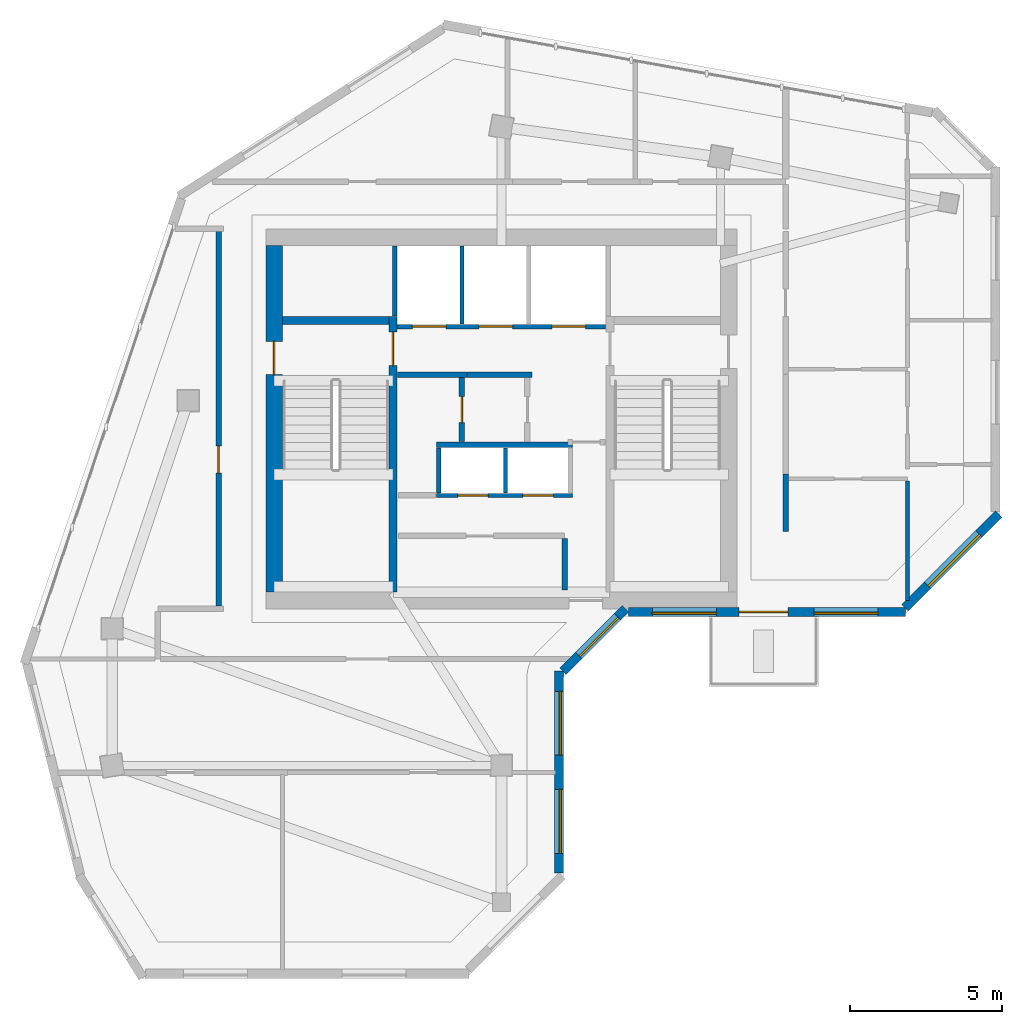
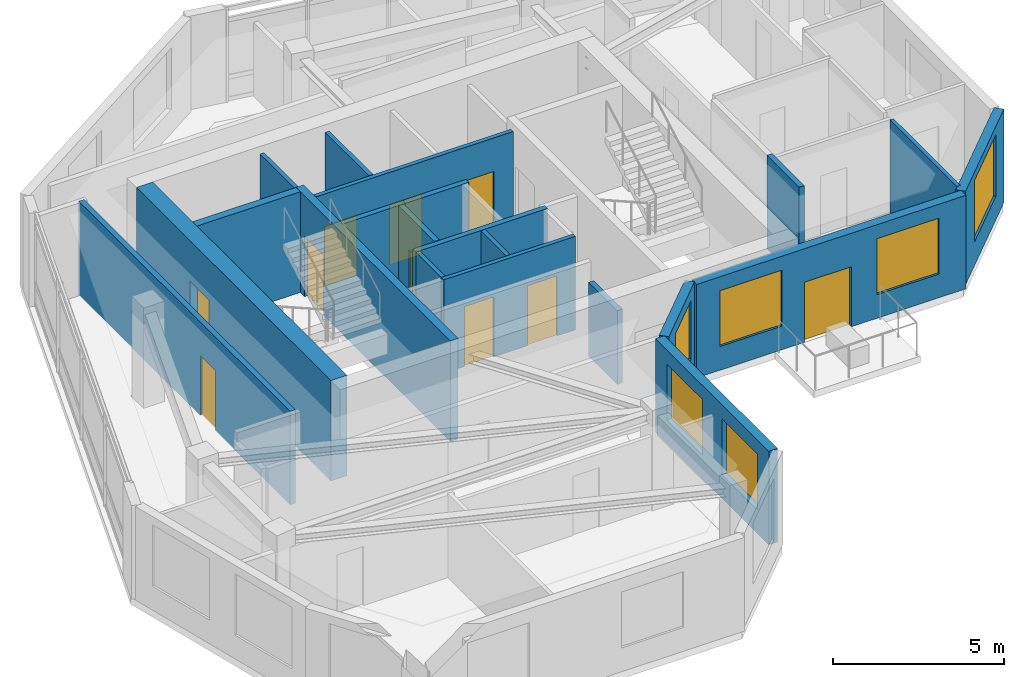
# One storey, part 3 of 7: 21 walls, 10 doors, 6 windows, 16 openings.
"""IFC4 building model written with IfcOpenShell, lengths in metres."""

import ifcopenshell
import ifcopenshell.guid

model = None  # the IFC model being written
_history = None  # IfcOwnerHistory: only IFC2X3 demands one
_inside = {}  # id of a spatial element -> (the spatial element, [elements in it])
_under = {}  # id of a project, library or spatial element -> (it, [spatial elements below it])
_declared = {}  # id of a project -> (the project, [libraries it declares])
_typed = {}  # id of a type object -> (the type object, [elements of that type])
_made_of = {}  # id of a material, layer set ... -> (it, [elements and type objects made of it])


def new_model(schema):
    """Start an empty IFC model of exactly this schema.

    Asked for "IFC4X3", IfcOpenShell would pick the latest addendum, in which some entities
    have other attributes; the version numbers below select the first issue.
    IFC2X3 requires an IfcOwnerHistory on every rooted entity: one is made here for all.
    """
    global model, _history
    if schema == "IFC4X3":
        model = ifcopenshell.file(schema_version=(4, 3, 0, 0))
    else:
        model = ifcopenshell.file(schema=schema)
    _inside.clear()
    _under.clear()
    _declared.clear()
    _typed.clear()
    _made_of.clear()
    _history = None
    if model.schema == "IFC2X3":
        org = make("IfcOrganization", Name="unknown")
        user = make(
            "IfcPersonAndOrganization",
            ThePerson=make("IfcPerson", FamilyName="unknown"),
            TheOrganization=org,
        )
        app = make(
            "IfcApplication",
            ApplicationDeveloper=org,
            Version="unknown",
            ApplicationFullName="unknown",
            ApplicationIdentifier="unknown",
        )
        _history = make(
            "IfcOwnerHistory",
            OwningUser=user,
            OwningApplication=app,
            ChangeAction="ADDED",
            CreationDate=0,
        )
    return model


def make(cls, **values):
    """One entity of the class cls with the attributes given. An attribute that is None is left unset."""
    return model.create_entity(
        cls, **{name: value for name, value in values.items() if value is not None}
    )


def rooted(cls, **values):
    """An entity with a GlobalId (a new one), such as an element, a storey or a relation."""
    return make(cls, GlobalId=ifcopenshell.guid.new(), OwnerHistory=_history, **values)


def si_unit(unit_type, name, prefix=None):
    """IfcSIUnit, for example si_unit("LENGTHUNIT", "METRE", prefix="MILLI")."""
    return make("IfcSIUnit", UnitType=unit_type, Prefix=prefix, Name=name)


def assignment(units):
    """IfcUnitAssignment: the units of a project."""
    return None if units is None else make("IfcUnitAssignment", Units=units)


def point(xyz):
    """IfcCartesianPoint."""
    return None if xyz is None else make("IfcCartesianPoint", Coordinates=xyz)


def direction(xyz):
    """IfcDirection."""
    return None if xyz is None else make("IfcDirection", DirectionRatios=xyz)


def frame(location, z_axis=None, x_axis=None):
    """IfcAxis2Placement3D, a coordinate frame: its origin and axes. An axis left out is left unset."""
    return make(
        "IfcAxis2Placement3D",
        Location=point(location),
        Axis=direction(z_axis),
        RefDirection=direction(x_axis),
    )


def frame_2d(location, x_axis=None):
    """IfcAxis2Placement2D, a coordinate frame in the plane: its origin and x axis."""
    return make(
        "IfcAxis2Placement2D", Location=point(location), RefDirection=direction(x_axis)
    )


def origin():
    """The frame at (0, 0, 0) with its axes left unset."""
    return frame((0.0, 0.0, 0.0))


def place(relative_to, where):
    """IfcLocalPlacement: puts the frame where relative to a parent placement (None: the world)."""
    return make(
        "IfcLocalPlacement", PlacementRelTo=relative_to, RelativePlacement=where
    )


def context(
    kind, dimensions, precision=None, world=None, true_north=None, identifier=None
):
    """IfcGeometricRepresentationContext, for example the 3D "Model" context."""
    return make(
        "IfcGeometricRepresentationContext",
        ContextIdentifier=identifier,
        ContextType=kind,
        CoordinateSpaceDimension=dimensions,
        Precision=precision,
        WorldCoordinateSystem=world,
        TrueNorth=true_north,
    )


def subcontext(parent, identifier, kind, view, scale=None):
    """IfcGeometricRepresentationSubContext, for example "Body" below "Model"."""
    return make(
        "IfcGeometricRepresentationSubContext",
        ContextIdentifier=identifier,
        ContextType=kind,
        ParentContext=parent,
        TargetScale=scale,
        TargetView=view,
    )


def project(units=None, contexts=None):
    """IfcProject with its units and contexts."""
    return rooted(
        "IfcProject",
        Name="project",
        RepresentationContexts=contexts,
        UnitsInContext=assignment(units),
    )


def spatial(cls, under=None, at=None, **own):
    """A site, building, storey or space (cls), placed at a placement, below another one or the project."""
    s = rooted(cls, ObjectPlacement=at, **own)
    if under is not None:
        _under.setdefault(under.id(), (under, []))[1].append(s)
    return s


def profile(cls, at=None, kind="AREA", **sizes):
    """A parametric profile (cls). Its sizes go by their IFC names, for example OverallWidth=200.0."""
    return make(cls, ProfileType=kind, Position=at, **sizes)


def rectangle(**sizes):
    """IfcRectangleProfileDef."""
    return profile("IfcRectangleProfileDef", **sizes)


def extrude(swept, where, along, depth):
    """IfcExtrudedAreaSolid: the profile swept, set in the frame where, extruded along a direction by depth."""
    return make(
        "IfcExtrudedAreaSolid",
        SweptArea=swept,
        Position=where,
        ExtrudedDirection=direction(along),
        Depth=depth,
    )


def shape(context_of_items, identifier, shape_type, items):
    """IfcShapeRepresentation: the items that make up one representation, for example the "Body"."""
    return make(
        "IfcShapeRepresentation",
        ContextOfItems=context_of_items,
        RepresentationIdentifier=identifier,
        RepresentationType=shape_type,
        Items=items,
    )


def source(mapping_origin, context_of_items, identifier, shape_type, items):
    """IfcRepresentationMap: a shape defined once, which mapped items show again and again."""
    return make(
        "IfcRepresentationMap",
        MappingOrigin=mapping_origin,
        MappedRepresentation=shape(context_of_items, identifier, shape_type, items),
    )


def transform(
    local_origin,
    x_axis=None,
    y_axis=None,
    z_axis=None,
    scale=None,
    scale2=None,
    scale3=None,
    uniform=True,
):
    """IfcCartesianTransformationOperator3D, or its non-uniform kind. x_axis, y_axis, z_axis: its Axis1, 2, 3."""
    if uniform:
        return make(
            "IfcCartesianTransformationOperator3D",
            Axis1=direction(x_axis),
            Axis2=direction(y_axis),
            LocalOrigin=point(local_origin),
            Scale=scale,
            Axis3=direction(z_axis),
        )
    return make(
        "IfcCartesianTransformationOperator3DnonUniform",
        Axis1=direction(x_axis),
        Axis2=direction(y_axis),
        LocalOrigin=point(local_origin),
        Scale=scale,
        Axis3=direction(z_axis),
        Scale2=scale2,
        Scale3=scale3,
    )


def mapped(mapping_source, mapping_target):
    """IfcMappedItem: shows the shape of a source again, moved by a transform."""
    return make(
        "IfcMappedItem", MappingSource=mapping_source, MappingTarget=mapping_target
    )


def material(Name=None, Category=None):
    """IfcMaterial."""
    return make("IfcMaterial", Name=Name, Category=Category)


def layer(
    of_material, thickness, ventilated=None, Name=None, Category=None, Priority=None
):
    """IfcMaterialLayer: one layer of a wall or slab, of a material (None: an air gap)."""
    return make(
        "IfcMaterialLayer",
        Material=of_material,
        LayerThickness=thickness,
        IsVentilated=ventilated,
        Name=Name,
        Category=Category,
        Priority=Priority,
    )


def layer_set(layers, Name=None):
    """IfcMaterialLayerSet."""
    return make("IfcMaterialLayerSet", MaterialLayers=layers, LayerSetName=Name)


def made_of(thing, what):
    """Note that an element or type object is made of a material, layer set ...; save() writes the relation."""
    if what is not None:
        _made_of.setdefault(what.id(), (what, []))[1].append(thing)
    return thing


def type_object(cls, material=None, **own):
    """A type object (cls), such as IfcWallType, which elements share."""
    return made_of(rooted(cls, **own), material)


def element(
    cls,
    number,
    at=None,
    inside=None,
    cuts=None,
    type_object=None,
    material=None,
    context=None,
    identifier="Body",
    shape_type=None,
    held_by="IfcProductDefinitionShape",
    body=None,
    shapes=None,
    **own,
):
    """One element of the class cls, such as IfcWall. Its Tag is "e" and its number.

    at: its placement. inside: the storey or other place that contains it. cuts: it is an
    opening in that element (IfcRelVoidsElement). A single representation is given by context,
    identifier, shape_type and body (its items); several are given by shapes. held_by: the class
    of the entity that holds the representations. save() writes the other relations.
    """
    e = rooted(cls, Tag="e%d" % number, ObjectPlacement=at, **own)
    if body is not None:
        shapes = [shape(context, identifier, shape_type, body)]
    if shapes is not None:
        e.Representation = make(held_by, Representations=shapes)
    if inside is not None:
        _inside.setdefault(inside.id(), (inside, []))[1].append(e)
    if cuts is not None:
        rooted(
            "IfcRelVoidsElement", RelatingBuildingElement=cuts, RelatedOpeningElement=e
        )
    if type_object is not None:
        _typed.setdefault(type_object.id(), (type_object, []))[1].append(e)
    return made_of(e, material)


def fill(opening, filler):
    """IfcRelFillsElement: the door or window that sits in an opening."""
    return rooted(
        "IfcRelFillsElement",
        RelatingOpeningElement=opening,
        RelatedBuildingElement=filler,
    )


def aggregate(whole, parts):
    """IfcRelAggregates: a whole, such as a stair, and the parts it consists of."""
    return rooted("IfcRelAggregates", RelatingObject=whole, RelatedObjects=parts)


def save(model, path):
    """Write the relations noted so far, then the file.

    IfcRelAggregates (storeys below a building ...), IfcRelContainedInSpatialStructure (elements
    in a storey), IfcRelDefinesByType, IfcRelAssociatesMaterial and IfcRelDeclares: one each for
    every whole, place, type object, material and project.
    """
    for whole, parts in _under.values():
        aggregate(whole, parts)
    for where, things in _inside.values():
        rooted(
            "IfcRelContainedInSpatialStructure",
            RelatedElements=things,
            RelatingStructure=where,
        )
    for kind, things in _typed.values():
        rooted("IfcRelDefinesByType", RelatedObjects=things, RelatingType=kind)
    for what, things in _made_of.values():
        rooted("IfcRelAssociatesMaterial", RelatedObjects=things, RelatingMaterial=what)
    for by, libraries in _declared.values():
        rooted("IfcRelDeclares", RelatingContext=by, RelatedDefinitions=libraries)
    model.write(path)


model = new_model("IFC4")

# Units and contexts
model_context = context("Model", 3, precision=1e-05, world=origin(), true_north=direction((0.0, 1.0)))
body_context = subcontext(model_context, "Body", "Model", "MODEL_VIEW")
ifc_project = project(units=[si_unit("LENGTHUNIT", "METRE"), si_unit("AREAUNIT", "SQUARE_METRE"), si_unit("VOLUMEUNIT", "CUBIC_METRE"), si_unit("PLANEANGLEUNIT", "RADIAN"), si_unit("MASSUNIT", "GRAM", prefix="KILO")], contexts=[model_context])

# Site, building, storey
site_placement = place(None, origin())
site = spatial("IfcSite", under=ifc_project, at=site_placement, CompositionType="ELEMENT")
building_placement = place(site_placement, origin())
building = spatial("IfcBuilding", under=site, at=building_placement, Name="Calvemar Wedge Station Tower", CompositionType="ELEMENT")
storey_placement = place(building_placement, frame((0.0, 0.0, 278.10009765625)))
storey = spatial("IfcBuildingStorey", under=building, at=storey_placement, Name="L71", CompositionType="ELEMENT", Elevation=278.10009765625)

# Wall, opening, door
ifc_material_1 = material(Name="Concrete C50", Category="concrete")
ifc_layer_1 = layer(ifc_material_1, 0.260009765625)
ifc_layer_set_1 = layer_set([ifc_layer_1], Name="Concrete C50")
wall_type_1 = type_object("IfcWallType", Name="SW-CORE-260", PredefinedType="SHEAR", material=ifc_layer_set_1)
wall_1_placement = place(storey_placement, frame((20.22998046875, 34.199951171875, 0.0), z_axis=(0.0, 0.0, 1.0), x_axis=(0.0, 1.0, 0.0)))
wall_1 = element("IfcWall", 1, at=wall_1_placement, inside=storey, type_object=wall_type_1, Name="Storey L71 Core Shear Wall SPINE-W", PredefinedType="SHEAR", context=body_context, shape_type="SweptSolid", body=[
    extrude(rectangle(XDim=9.06005859375, YDim=0.260009765625, at=frame_2d((4.530029296875, 0.0))), origin(), (0.0, 0.0, 1.0), 3.599853515625),
])
shared_shape_1 = source(origin(), body_context, "Body", "SweptSolid", [
    extrude(rectangle(XDim=1.10009765625, YDim=2.14990234375, at=frame_2d((0.550048828125, 1.074951171875))), frame((0.0, 0.14013671875, 0.0), z_axis=(0.0, -1.0, 0.0), x_axis=(1.0, 0.0, 0.0)), (0.0, 0.0, 1.0), 0.280029296875),
])
opening_1_placement = place(wall_1_placement, frame((7.449951171875, 0.0, 0.0)))
opening_1 = element("IfcOpeningElement", 2, at=opening_1_placement, cuts=wall_1, Name="Opening FD-90", PredefinedType="OPENING", context=body_context, shape_type="MappedRepresentation", body=[
    mapped(shared_shape_1, transform((0.0, 0.0, 0.0), scale=1.0)),
])
ifc_material_2 = material(Name="Galvanized fire-rated steel door leaf P-90", Category="steel")
door_type_1 = type_object("IfcDoorType", Name="DR-FD90-1100", OperationType="NOTDEFINED", PredefinedType="DOOR", material=ifc_material_2)
shared_shape_2 = source(origin(), body_context, "Body", "SweptSolid", [
    extrude(rectangle(XDim=1.10009765625, YDim=2.14990234375, at=frame_2d((0.550048828125, 1.074951171875))), frame((0.0, 0.02490234375, 0.0), z_axis=(0.0, -1.0, 0.0), x_axis=(1.0, 0.0, 0.0)), (0.0, 0.0, 1.0), 0.050048828125),
])
door_1_placement = place(opening_1_placement, origin())
door_1 = element("IfcDoor", 3, at=door_1_placement, inside=storey, type_object=door_type_1, Name="L71 FF Lobby to Stair ST-C1 Door", OperationType="SINGLE_SWING_LEFT", OverallHeight=2.14990234375, OverallWidth=1.10009765625, PredefinedType="DOOR", context=body_context, shape_type="MappedRepresentation", body=[
    mapped(shared_shape_2, transform((0.0, 0.0, 0.0), scale=1.0)),
])
fill(opening_1, door_1)

# Wall
wall_2_placement = place(storey_placement, frame((16.60009765625, 43.1298828125, 0.0), z_axis=(0.0, 0.0, 1.0), x_axis=(1.0, 0.0, 0.0)))
element("IfcWall", 4, at=wall_2_placement, inside=storey, type_object=wall_type_1, Name="Storey L71 Core Shear Wall STC1-N", PredefinedType="SHEAR", context=body_context, shape_type="SweptSolid", body=[
    extrude(rectangle(XDim=3.5, YDim=0.260009765625, at=frame_2d((1.75, 0.0))), origin(), (0.0, 0.0, 1.0), 3.599853515625),
])

# Wall, opening, door
ifc_material_3 = material(Name="Concrete C60", Category="concrete")
ifc_layer_2 = layer(ifc_material_3, 0.550048828125)
ifc_layer_set_2 = layer_set([ifc_layer_2], Name="Concrete C60")
wall_type_2 = type_object("IfcWallType", Name="SW-CORE-550", PredefinedType="SHEAR", material=ifc_layer_set_2)
wall_3_placement = place(storey_placement, frame((16.324951171875, 34.199951171875, 0.0), z_axis=(0.0, 0.0, 1.0), x_axis=(0.0, 1.0, 0.0)))
wall_3 = element("IfcWall", 5, at=wall_3_placement, inside=storey, type_object=wall_type_2, Name="Storey L71 Core Shear Wall W", PredefinedType="SHEAR", context=body_context, shape_type="SweptSolid", body=[
    extrude(rectangle(XDim=11.400146484375, YDim=0.550048828125, at=frame_2d((5.7001953125, 0.0))), origin(), (0.0, 0.0, 1.0), 3.599853515625),
])
shared_shape_3 = source(origin(), body_context, "Body", "SweptSolid", [
    extrude(rectangle(XDim=1.10009765625, YDim=2.14990234375, at=frame_2d((0.550048828125, 1.074951171875))), frame((0.0, 0.28515625, 0.0), z_axis=(0.0, -1.0, 0.0), x_axis=(1.0, 0.0, 0.0)), (0.0, 0.0, 1.0), 0.570068359375),
])
opening_2_placement = place(wall_3_placement, frame((7.14990234375, 0.0, 0.0)))
opening_2 = element("IfcOpeningElement", 6, at=opening_2_placement, cuts=wall_3, Name="Opening FD-90", PredefinedType="OPENING", context=body_context, shape_type="MappedRepresentation", body=[
    mapped(shared_shape_3, transform((0.0, 0.0, 0.0), scale=1.0)),
])
door_2_placement = place(opening_2_placement, origin())
door_2 = element("IfcDoor", 7, at=door_2_placement, inside=storey, type_object=door_type_1, Name="L71 West Corridor to Exit Stair ST-C1 Door", OperationType="SINGLE_SWING_LEFT", OverallHeight=2.14990234375, OverallWidth=1.10009765625, PredefinedType="DOOR", context=body_context, shape_type="MappedRepresentation", body=[
    mapped(shared_shape_2, transform((0.0, 0.0, 0.0), scale=1.0)),
])
fill(opening_2, door_2)

# Walls
ifc_material_4 = material(Name="Double-stud fire-rated corridor partition")
ifc_layer_3 = layer(ifc_material_4, 0.179931640625)
ifc_layer_set_3 = layer_set([ifc_layer_3], Name="Double-stud fire-rated corridor partition")
wall_type_3 = type_object("IfcWallType", Name="W-CORR-180", PredefinedType="PARTITIONING", material=ifc_layer_set_3)
wall_4_placement = place(storey_placement, frame((22.659912109375, 41.35009765625, 0.0), z_axis=(0.0, 0.0, 1.0), x_axis=(-1.0, 0.0, 0.0)))
element("IfcWall", 8, at=wall_4_placement, inside=storey, type_object=wall_type_3, Name="Storey L71 Interior Partition WL-L71-001", PredefinedType="PARTITIONING", context=body_context, shape_type="SweptSolid", body=[
    extrude(rectangle(XDim=2.280029296875, YDim=0.179931640625, at=frame_2d((1.14013671875, 0.0))), origin(), (0.0, 0.0, 1.0), 3.349853515625),
])
wall_5_placement = place(storey_placement, frame((24.81005859375, 41.35009765625, 0.0), z_axis=(0.0, 0.0, 1.0), x_axis=(-1.0, 0.0, 0.0)))
element("IfcWall", 9, at=wall_5_placement, inside=storey, type_object=wall_type_3, Name="Storey L71 Interior Partition WL-L71-002", PredefinedType="PARTITIONING", context=body_context, shape_type="SweptSolid", body=[
    extrude(rectangle(XDim=2.14794921875, YDim=0.179931640625, at=frame_2d((1.073974609375, 0.0))), origin(), (0.0, 0.0, 1.0), 3.349853515625),
])

# Wall, opening, door
wall_6_placement = place(storey_placement, frame((22.5, 41.256103515625, 0.0), z_axis=(0.0, 0.0, 1.0), x_axis=(0.0, -1.0, 0.0)))
wall_6 = element("IfcWall", 10, at=wall_6_placement, inside=storey, type_object=wall_type_3, Name="Storey L71 Interior Partition WL-L71-003", PredefinedType="PARTITIONING", context=body_context, shape_type="SweptSolid", body=[
    extrude(rectangle(XDim=2.106201171875, YDim=0.179931640625, at=frame_2d((1.05322265625, 0.0))), origin(), (0.0, 0.0, 1.0), 3.349853515625),
])
shared_shape_4 = source(origin(), body_context, "Body", "SweptSolid", [
    extrude(rectangle(XDim=0.85009765625, YDim=2.14990234375, at=frame_2d((0.425048828125, 1.074951171875))), frame((0.0, 0.10009765625, 0.0), z_axis=(0.0, -1.0, 0.0), x_axis=(1.0, 0.0, 0.0)), (0.0, 0.0, 1.0), 0.199951171875),
])
opening_3_placement = place(wall_6_placement, frame((0.6279296875, 0.0, 0.0)))
opening_3 = element("IfcOpeningElement", 11, at=opening_3_placement, cuts=wall_6, Name="Opening FD-60S", PredefinedType="OPENING", context=body_context, shape_type="MappedRepresentation", body=[
    mapped(shared_shape_4, transform((0.0, 0.0, 0.0), scale=1.0)),
])
ifc_material_5 = material(Name="Fire-rated steel and hardwood service door EI 60", Category="steel")
door_type_2 = type_object("IfcDoorType", Name="DR-CORE-FD60-850", OperationType="NOTDEFINED", PredefinedType="DOOR", material=ifc_material_5)
shared_shape_5 = source(origin(), body_context, "Body", "SweptSolid", [
    extrude(rectangle(XDim=0.85009765625, YDim=2.14990234375, at=frame_2d((0.425048828125, 1.074951171875))), frame((0.0, 0.02490234375, 0.0), z_axis=(0.0, -1.0, 0.0), x_axis=(1.0, 0.0, 0.0)), (0.0, 0.0, 1.0), 0.050048828125),
])
door_3_placement = place(opening_3_placement, origin())
door_3 = element("IfcDoor", 12, at=door_3_placement, inside=storey, type_object=door_type_2, Name="L71 IT and Telecoms Room Door", OperationType="SINGLE_SWING_RIGHT", OverallHeight=2.14990234375, OverallWidth=0.85009765625, PredefinedType="DOOR", context=body_context, shape_type="MappedRepresentation", body=[
    mapped(shared_shape_5, transform((0.0, 0.0, 0.0), scale=1.0)),
])
fill(opening_3, door_3)

# Wall
wall_7_placement = place(storey_placement, frame((25.8798828125, 35.9560546875, 0.0), z_axis=(0.0, 0.0, 1.0), x_axis=(0.0, -1.0, 0.0)))
element("IfcWall", 13, at=wall_7_placement, inside=storey, type_object=wall_type_3, Name="Storey L71 Interior Partition WL-L71-008", PredefinedType="PARTITIONING", context=body_context, shape_type="SweptSolid", body=[
    extrude(rectangle(XDim=1.68603515625, YDim=0.179931640625, at=frame_2d((0.843017578125, 0.0))), origin(), (0.0, 0.0, 1.0), 2.641845703125),
])

# Wall, opening, door
wall_8_placement = place(storey_placement, frame((14.5, 33.743896484375, 0.0), z_axis=(0.0, 0.0, 1.0), x_axis=(0.0, 1.0, 0.0)))
wall_8 = element("IfcWall", 14, at=wall_8_placement, inside=storey, type_object=wall_type_3, Name="Storey L71 Interior Partition WL-L71-012", PredefinedType="PARTITIONING", context=body_context, shape_type="SweptSolid", body=[
    extrude(rectangle(XDim=12.406005859375, YDim=0.179931640625, at=frame_2d((6.203125, 0.0))), origin(), (0.0, 0.0, 1.0), 3.349853515625),
])
shared_shape_6 = source(origin(), body_context, "Body", "SweptSolid", [
    extrude(rectangle(XDim=0.89990234375, YDim=2.14990234375, at=frame_2d((0.449951171875, 1.074951171875))), frame((0.0, 0.10009765625, 0.0), z_axis=(0.0, -1.0, 0.0), x_axis=(1.0, 0.0, 0.0)), (0.0, 0.0, 1.0), 0.199951171875),
])
opening_4_placement = place(wall_8_placement, frame((4.36962890625, 0.0, 0.0)))
opening_4 = element("IfcOpeningElement", 15, at=opening_4_placement, cuts=wall_8, Name="Opening D-01", PredefinedType="OPENING", context=body_context, shape_type="MappedRepresentation", body=[
    mapped(shared_shape_6, transform((0.0, 0.0, 0.0), scale=1.0)),
])
ifc_material_6 = material(Name="Architectural hardwood acoustic swing door", Category="wood")
door_type_3 = type_object("IfcDoorType", Name="DR-INT-900", OperationType="NOTDEFINED", PredefinedType="DOOR", material=ifc_material_6)
shared_shape_7 = source(origin(), body_context, "Body", "SweptSolid", [
    extrude(rectangle(XDim=0.89990234375, YDim=2.14990234375, at=frame_2d((0.449951171875, 1.074951171875))), frame((0.0, 0.02490234375, 0.0), z_axis=(0.0, -1.0, 0.0), x_axis=(1.0, 0.0, 0.0)), (0.0, 0.0, 1.0), 0.050048828125),
])
door_4_placement = place(opening_4_placement, origin())
door_4 = element("IfcDoor", 16, at=door_4_placement, inside=storey, type_object=door_type_3, Name="L71 Resident Reading Lounge Door", OperationType="SINGLE_SWING_RIGHT", OverallHeight=2.14990234375, OverallWidth=0.89990234375, PredefinedType="DOOR", context=body_context, shape_type="MappedRepresentation", body=[
    mapped(shared_shape_7, transform((0.0, 0.0, 0.0), scale=1.0)),
])
fill(opening_4, door_4)

# Wall
wall_9_placement = place(storey_placement, frame((33.14990234375, 38.0869140625, 0.0), z_axis=(0.0, 0.0, 1.0), x_axis=(0.0, -1.0, 0.0)))
element("IfcWall", 17, at=wall_9_placement, inside=storey, type_object=wall_type_3, Name="Storey L71 Interior Partition WL-L71-018", PredefinedType="PARTITIONING", context=body_context, shape_type="SweptSolid", body=[
    extrude(rectangle(XDim=1.886962890625, YDim=0.179931640625, at=frame_2d((0.943359375, 0.0))), origin(), (0.0, 0.0, 1.0), 3.349853515625),
])

# Wall, openings, windows
ifc_material_7 = material(Name="Precast concrete C45", Category="concrete")
ifc_layer_4 = layer(ifc_material_7, 0.300048828125)
ifc_layer_set_4 = layer_set([ifc_layer_4], Name="Precast concrete C45")
wall_type_4 = type_object("IfcWallType", Name="W-EXT-GFRC-300", PredefinedType="SOLIDWALL", material=ifc_layer_set_4)
wall_10_placement = place(storey_placement, frame((25.68994140625, 24.957275390625, 0.0), z_axis=(0.0, 0.0, 1.0), x_axis=(0.0, 1.0, 0.0)))
wall_10 = element("IfcWall", 18, at=wall_10_placement, inside=storey, type_object=wall_type_4, Name="Storey L71 Bronze GFRC Exterior Wall 4", PredefinedType="SOLIDWALL", context=body_context, shape_type="SweptSolid", body=[
    extrude(rectangle(XDim=6.65478515625, YDim=0.300048828125, at=frame_2d((3.327392578125, 0.0))), origin(), (0.0, 0.0, 1.0), 3.349853515625),
])
shared_shape_8 = source(origin(), body_context, "Body", "SweptSolid", [
    extrude(rectangle(XDim=2.10009765625, YDim=2.0, at=frame_2d((1.050048828125, 1.0))), frame((0.0, 0.16015625, 0.0), z_axis=(0.0, -1.0, 0.0), x_axis=(1.0, 0.0, 0.0)), (0.0, 0.0, 1.0), 0.320068359375),
])
opening_5_placement = place(wall_10_placement, frame((0.654052734375, 0.0, 0.85009765625)))
opening_5 = element("IfcOpeningElement", 19, at=opening_5_placement, cuts=wall_10, Name="Opening W4", PredefinedType="OPENING", context=body_context, shape_type="MappedRepresentation", body=[
    mapped(shared_shape_8, transform((0.0, 0.0, 0.0), scale=1.0)),
])
opening_6_placement = place(wall_10_placement, frame((3.881103515625, 0.0, 0.85009765625)))
opening_6 = element("IfcOpeningElement", 20, at=opening_6_placement, cuts=wall_10, Name="Opening W4", PredefinedType="OPENING", context=body_context, shape_type="MappedRepresentation", body=[
    mapped(shared_shape_8, transform((0.0, 0.0, 0.0), scale=1.0)),
])
ifc_material_8 = material(Name="Low-E laminated insulated glass", Category="glass")
window_type_1 = type_object("IfcWindowType", Name="WIN-EXT-4", PartitioningType="SINGLE_PANEL", PredefinedType="WINDOW", material=ifc_material_8)
shared_shape_9 = source(origin(), body_context, "Body", "SweptSolid", [
    extrude(rectangle(XDim=2.10009765625, YDim=2.0, at=frame_2d((1.050048828125, 1.0))), frame((0.0, -0.014892578125, 0.0), z_axis=(0.0, -1.0, 0.0), x_axis=(1.0, 0.0, 0.0)), (0.0, 0.0, 1.0), 0.06005859375),
])
window_1_placement = place(opening_5_placement, origin())
window_1 = element("IfcWindow", 21, at=window_1_placement, inside=storey, type_object=window_type_1, Name="Storey L71 Recessed Window 4.1", OverallHeight=2.0, OverallWidth=2.10009765625, PartitioningType="SINGLE_PANEL", PredefinedType="WINDOW", context=body_context, shape_type="MappedRepresentation", body=[
    mapped(shared_shape_9, transform((0.0, 0.0, 0.0), scale=1.0)),
])
fill(opening_5, window_1)
window_2_placement = place(opening_6_placement, origin())
window_2 = element("IfcWindow", 22, at=window_2_placement, inside=storey, type_object=window_type_1, Name="Storey L71 Recessed Window 4.2", OverallHeight=2.0, OverallWidth=2.10009765625, PartitioningType="SINGLE_PANEL", PredefinedType="WINDOW", context=body_context, shape_type="MappedRepresentation", body=[
    mapped(shared_shape_9, transform((0.0, 0.0, 0.0), scale=1.0)),
])
fill(opening_6, window_2)

# Wall, opening, window
wall_11_placement = place(storey_placement, frame((25.827880859375, 31.60009765625, 0.0), z_axis=(0.0, 0.0, 1.0), x_axis=(0.707106781187, 0.707106781187, 0.0)))
wall_11 = element("IfcWall", 23, at=wall_11_placement, inside=storey, type_object=wall_type_4, Name="Storey L71 Bronze GFRC Exterior Wall 5", PredefinedType="SOLIDWALL", context=body_context, shape_type="SweptSolid", body=[
    extrude(rectangle(XDim=2.907470703125, YDim=0.300048828125, at=frame_2d((1.45361328125, 0.0))), origin(), (0.0, 0.0, 1.0), 3.349853515625),
])
shared_shape_10 = source(origin(), body_context, "Body", "SweptSolid", [
    extrude(rectangle(XDim=1.800048828125, YDim=2.10009765625, at=frame_2d((0.89990234375, 1.050048828125))), frame((0.0, 0.16015625, 0.0), z_axis=(0.0, -1.0, 0.0), x_axis=(1.0, 0.0, 0.0)), (0.0, 0.0, 1.0), 0.320068359375),
])
opening_7_placement = place(wall_11_placement, frame((0.72900390625, 0.0, 0.85009765625)))
opening_7 = element("IfcOpeningElement", 24, at=opening_7_placement, cuts=wall_11, Name="Opening W2", PredefinedType="OPENING", context=body_context, shape_type="MappedRepresentation", body=[
    mapped(shared_shape_10, transform((0.0, 0.0, 0.0), scale=1.0)),
])
window_type_2 = type_object("IfcWindowType", Name="WIN-EXT-2", PartitioningType="SINGLE_PANEL", PredefinedType="WINDOW", material=ifc_material_8)
shared_shape_11 = source(origin(), body_context, "Body", "SweptSolid", [
    extrude(rectangle(XDim=1.800048828125, YDim=2.10009765625, at=frame_2d((0.89990234375, 1.050048828125))), frame((0.0, -0.014892578125, 0.0), z_axis=(0.0, -1.0, 0.0), x_axis=(1.0, 0.0, 0.0)), (0.0, 0.0, 1.0), 0.06005859375),
])
window_3_placement = place(opening_7_placement, origin())
window_3 = element("IfcWindow", 25, at=window_3_placement, inside=storey, type_object=window_type_2, Name="Storey L71 Recessed Window 5.1", OverallHeight=2.10009765625, OverallWidth=1.800048828125, PartitioningType="SINGLE_PANEL", PredefinedType="WINDOW", context=body_context, shape_type="MappedRepresentation", body=[
    mapped(shared_shape_11, transform((0.0, 0.0, 0.0), scale=1.0)),
])
fill(opening_7, window_3)

# Wall, openings, windows, door
wall_12_placement = place(storey_placement, frame((27.972900390625, 33.550048828125, 0.0), z_axis=(0.0, 0.0, 1.0), x_axis=(1.0, 0.0, 0.0)))
wall_12 = element("IfcWall", 26, at=wall_12_placement, inside=storey, type_object=wall_type_4, Name="Storey L71 Bronze GFRC Exterior Wall 6", PredefinedType="SOLIDWALL", context=body_context, shape_type="SweptSolid", body=[
    extrude(rectangle(XDim=9.114990234375, YDim=0.300048828125, at=frame_2d((4.5576171875, 0.0))), origin(), (0.0, 0.0, 1.0), 3.349853515625),
])
shared_shape_12 = source(origin(), body_context, "Body", "SweptSolid", [
    extrude(rectangle(XDim=1.60009765625, YDim=2.14990234375, at=frame_2d((0.800048828125, 1.074951171875))), frame((0.0, 0.16015625, 0.0), z_axis=(0.0, -1.0, 0.0), x_axis=(1.0, 0.0, 0.0)), (0.0, 0.0, 1.0), 0.320068359375),
])
opening_8_placement = place(wall_12_placement, frame((3.64697265625, 0.0, 0.0)))
opening_8 = element("IfcOpeningElement", 27, at=opening_8_placement, cuts=wall_12, Name="Opening DT1", PredefinedType="OPENING", context=body_context, shape_type="MappedRepresentation", body=[
    mapped(shared_shape_12, transform((0.0, 0.0, 0.0), scale=1.0)),
])
opening_9_placement = place(wall_12_placement, frame((0.79296875, 0.0, 0.85009765625)))
opening_9 = element("IfcOpeningElement", 28, at=opening_9_placement, cuts=wall_12, Name="Opening W4", PredefinedType="OPENING", context=body_context, shape_type="MappedRepresentation", body=[
    mapped(shared_shape_8, transform((0.0, 0.0, 0.0), scale=1.0)),
])
opening_10_placement = place(wall_12_placement, frame((6.111083984375, 0.0, 0.85009765625)))
opening_10 = element("IfcOpeningElement", 29, at=opening_10_placement, cuts=wall_12, Name="Opening W4", PredefinedType="OPENING", context=body_context, shape_type="MappedRepresentation", body=[
    mapped(shared_shape_8, transform((0.0, 0.0, 0.0), scale=1.0)),
])
window_4_placement = place(opening_9_placement, origin())
window_4 = element("IfcWindow", 30, at=window_4_placement, inside=storey, type_object=window_type_1, Name="Storey L71 Recessed Window 6.1", OverallHeight=2.0, OverallWidth=2.10009765625, PartitioningType="SINGLE_PANEL", PredefinedType="WINDOW", context=body_context, shape_type="MappedRepresentation", body=[
    mapped(shared_shape_9, transform((0.0, 0.0, 0.0), scale=1.0)),
])
fill(opening_9, window_4)
window_5_placement = place(opening_10_placement, origin())
window_5 = element("IfcWindow", 31, at=window_5_placement, inside=storey, type_object=window_type_1, Name="Storey L71 Recessed Window 6.2", OverallHeight=2.0, OverallWidth=2.10009765625, PartitioningType="SINGLE_PANEL", PredefinedType="WINDOW", context=body_context, shape_type="MappedRepresentation", body=[
    mapped(shared_shape_9, transform((0.0, 0.0, 0.0), scale=1.0)),
])
fill(opening_10, window_5)
ifc_material_9 = material(Name="Anodised aluminium 6063-T6", Category="aluminium")
door_type_4 = type_object("IfcDoorType", Name="DR-TERR-1600", OperationType="DOUBLE_DOOR_SLIDING", PredefinedType="DOOR", material=ifc_material_9)
shared_shape_13 = source(origin(), body_context, "Body", "SweptSolid", [
    extrude(rectangle(XDim=1.60009765625, YDim=2.14990234375, at=frame_2d((0.800048828125, 1.074951171875))), frame((0.0, 0.02490234375, 0.0), z_axis=(0.0, -1.0, 0.0), x_axis=(1.0, 0.0, 0.0)), (0.0, 0.0, 1.0), 0.050048828125),
])
door_5_placement = place(opening_8_placement, origin())
door_5 = element("IfcDoor", 32, at=door_5_placement, inside=storey, type_object=door_type_4, Name="Storey L71 Spiral Terrace Door", OperationType="DOUBLE_DOOR_SLIDING", OverallHeight=2.14990234375, OverallWidth=1.60009765625, PredefinedType="DOOR", context=body_context, shape_type="MappedRepresentation", body=[
    mapped(shared_shape_13, transform((0.0, 0.0, 0.0), scale=1.0)),
])
fill(opening_8, door_5)

# Wall, opening, window
wall_13_placement = place(storey_placement, frame((37.075927734375, 33.68798828125, 0.0), z_axis=(0.0, 0.0, 1.0), x_axis=(0.707078757535, 0.707134803727, 0.0)))
wall_13 = element("IfcWall", 33, at=wall_13_placement, inside=storey, type_object=wall_type_4, Name="Storey L71 Bronze GFRC Exterior Wall 7", PredefinedType="SOLIDWALL", context=body_context, shape_type="SweptSolid", body=[
    extrude(rectangle(XDim=4.35595703125, YDim=0.300048828125, at=frame_2d((2.177978515625, 0.0))), origin(), (0.0, 0.0, 1.0), 3.349853515625),
])
shared_shape_14 = source(origin(), body_context, "Body", "SweptSolid", [
    extrude(rectangle(XDim=2.39990234375, YDim=2.199951171875, at=frame_2d((1.199951171875, 1.10009765625))), frame((0.0, 0.16015625, 0.0), z_axis=(0.0, -1.0, 0.0), x_axis=(1.0, 0.0, 0.0)), (0.0, 0.0, 1.0), 0.320068359375),
])
opening_11_placement = place(wall_13_placement, frame((1.0380859375, 0.0, 0.85009765625)))
opening_11 = element("IfcOpeningElement", 34, at=opening_11_placement, cuts=wall_13, Name="Opening W1", PredefinedType="OPENING", context=body_context, shape_type="MappedRepresentation", body=[
    mapped(shared_shape_14, transform((0.0, 0.0, 0.0), scale=1.0)),
])
window_type_3 = type_object("IfcWindowType", Name="WIN-EXT-1", PartitioningType="SINGLE_PANEL", PredefinedType="WINDOW", material=ifc_material_8)
shared_shape_15 = source(origin(), body_context, "Body", "SweptSolid", [
    extrude(rectangle(XDim=2.39990234375, YDim=2.199951171875, at=frame_2d((1.199951171875, 1.10009765625))), frame((0.0, -0.014892578125, 0.0), z_axis=(0.0, -1.0, 0.0), x_axis=(1.0, 0.0, 0.0)), (0.0, 0.0, 1.0), 0.06005859375),
])
window_6_placement = place(opening_11_placement, origin())
window_6 = element("IfcWindow", 35, at=window_6_placement, inside=storey, type_object=window_type_3, Name="Storey L71 Recessed Window 7.1", OverallHeight=2.199951171875, OverallWidth=2.39990234375, PartitioningType="SINGLE_PANEL", PredefinedType="WINDOW", context=body_context, shape_type="MappedRepresentation", body=[
    mapped(shared_shape_15, transform((0.0, 0.0, 0.0), scale=1.0)),
])
fill(opening_11, window_6)

# Wall, openings, doors
ifc_material_10 = material(Name="Reinforced concrete blockwork lift shaft wall", Category="masonry")
ifc_layer_5 = layer(ifc_material_10, 0.139892578125)
ifc_layer_set_5 = layer_set([ifc_layer_5], Name="Reinforced concrete blockwork lift shaft wall")
wall_type_5 = type_object("IfcWallType", Name="W-LIFT-160", PredefinedType="SOLIDWALL", material=ifc_layer_set_5)
wall_14_placement = place(storey_placement, frame((20.3701171875, 42.929931640625, 0.0), z_axis=(0.0, 0.0, 1.0), x_axis=(1.0, 0.0, 0.0)))
wall_14 = element("IfcWall", 36, at=wall_14_placement, inside=storey, type_object=wall_type_5, Name="Storey L71 Firefighting and Service Lift Shaft Front Wall", PredefinedType="SOLIDWALL", context=body_context, shape_type="SweptSolid", body=[
    extrude(rectangle(XDim=6.85986328125, YDim=0.139892578125, at=frame_2d((3.429931640625, 0.0))), origin(), (0.0, 0.0, 1.0), 3.349853515625),
])
shared_shape_16 = source(origin(), body_context, "Body", "SweptSolid", [
    extrude(rectangle(XDim=1.10009765625, YDim=2.14990234375, at=frame_2d((0.550048828125, 1.074951171875))), frame((0.0, 0.080078125, 0.0), z_axis=(0.0, -1.0, 0.0), x_axis=(1.0, 0.0, 0.0)), (0.0, 0.0, 1.0), 0.159912109375),
])
opening_12_placement = place(wall_14_placement, frame((0.5, 0.0, 0.0)))
opening_12 = element("IfcOpeningElement", 37, at=opening_12_placement, cuts=wall_14, Name="Opening LD-FF", PredefinedType="OPENING", context=body_context, shape_type="MappedRepresentation", body=[
    mapped(shared_shape_16, transform((0.0, 0.0, 0.0), scale=1.0)),
])
opening_13_placement = place(wall_14_placement, frame((2.699951171875, 0.0, 0.0)))
opening_13 = element("IfcOpeningElement", 38, at=opening_13_placement, cuts=wall_14, Name="Opening LD-FF", PredefinedType="OPENING", context=body_context, shape_type="MappedRepresentation", body=[
    mapped(shared_shape_16, transform((0.0, 0.0, 0.0), scale=1.0)),
])
opening_14_placement = place(wall_14_placement, frame((5.10009765625, 0.0, 0.0)))
opening_14 = element("IfcOpeningElement", 39, at=opening_14_placement, cuts=wall_14, Name="Opening LD-STN", PredefinedType="OPENING", context=body_context, shape_type="MappedRepresentation", body=[
    mapped(shared_shape_16, transform((0.0, 0.0, 0.0), scale=1.0)),
])
ifc_material_11 = material(Name="Stainless steel firefighting lift sliding landing door", Category="steel")
door_type_5 = type_object("IfcDoorType", Name="DR-LD-FF-1100", OperationType="SLIDING_TO_LEFT", PredefinedType="DOOR", material=ifc_material_11)
shared_shape_17 = source(origin(), body_context, "Body", "SweptSolid", [
    extrude(rectangle(XDim=1.10009765625, YDim=2.14990234375, at=frame_2d((0.550048828125, 1.074951171875))), frame((0.0, 0.02490234375, 0.0), z_axis=(0.0, -1.0, 0.0), x_axis=(1.0, 0.0, 0.0)), (0.0, 0.0, 1.0), 0.050048828125),
])
door_6_placement = place(opening_12_placement, origin())
door_6 = element("IfcDoor", 40, at=door_6_placement, inside=storey, type_object=door_type_5, Name="L71 Lift FF-01 Sliding Landing Door", OperationType="SLIDING_TO_LEFT", OverallHeight=2.14990234375, OverallWidth=1.10009765625, PredefinedType="DOOR", context=body_context, shape_type="MappedRepresentation", body=[
    mapped(shared_shape_17, transform((0.0, 0.0, 0.0), scale=1.0)),
])
fill(opening_12, door_6)
door_7_placement = place(opening_13_placement, origin())
door_7 = element("IfcDoor", 41, at=door_7_placement, inside=storey, type_object=door_type_5, Name="L71 Lift FF-02 Sliding Landing Door", OperationType="SLIDING_TO_RIGHT", OverallHeight=2.14990234375, OverallWidth=1.10009765625, PredefinedType="DOOR", context=body_context, shape_type="MappedRepresentation", body=[
    mapped(shared_shape_17, transform((0.0, 0.0, 0.0), scale=1.0)),
])
fill(opening_13, door_7)
ifc_material_12 = material(Name="Stainless steel transit lift sliding landing door", Category="steel")
door_type_6 = type_object("IfcDoorType", Name="DR-LD-PAX-1100", OperationType="SLIDING_TO_LEFT", PredefinedType="DOOR", material=ifc_material_12)
shared_shape_18 = source(origin(), body_context, "Body", "SweptSolid", [
    extrude(rectangle(XDim=1.10009765625, YDim=2.14990234375, at=frame_2d((0.550048828125, 1.074951171875))), frame((0.0, 0.02490234375, 0.0), z_axis=(0.0, -1.0, 0.0), x_axis=(1.0, 0.0, 0.0)), (0.0, 0.0, 1.0), 0.050048828125),
])
door_8_placement = place(opening_14_placement, origin())
door_8 = element("IfcDoor", 42, at=door_8_placement, inside=storey, type_object=door_type_6, Name="L71 Lift SV-01 Sliding Landing Door", OperationType="SLIDING_TO_LEFT", OverallHeight=2.14990234375, OverallWidth=1.10009765625, PredefinedType="DOOR", context=body_context, shape_type="MappedRepresentation", body=[
    mapped(shared_shape_18, transform((0.0, 0.0, 0.0), scale=1.0)),
])
fill(opening_14, door_8)

# Walls
wall_15_placement = place(storey_placement, frame((20.2900390625, 43.280029296875, 0.0), z_axis=(0.0, 0.0, 1.0), x_axis=(0.0, 1.0, 0.0)))
element("IfcWall", 43, at=wall_15_placement, inside=storey, type_object=wall_type_5, Name="Storey L71 Firefighting Lift Shaft Enclosure Wall W", PredefinedType="SOLIDWALL", context=body_context, shape_type="SweptSolid", body=[
    extrude(rectangle(XDim=2.300048828125, YDim=0.139892578125, at=frame_2d((1.14990234375, 0.0))), origin(), (0.0, 0.0, 1.0), 3.349853515625),
])
wall_16_placement = place(storey_placement, frame((22.5, 43.02001953125, 0.0), z_axis=(0.0, 0.0, 1.0), x_axis=(0.0, 1.0, 0.0)))
element("IfcWall", 44, at=wall_16_placement, inside=storey, type_object=wall_type_5, Name="Storey L71 Firefighting Lift Shaft Enclosure Wall D1", PredefinedType="SOLIDWALL", context=body_context, shape_type="SweptSolid", body=[
    extrude(rectangle(XDim=2.56005859375, YDim=0.139892578125, at=frame_2d((1.280029296875, 0.0))), origin(), (0.0, 0.0, 1.0), 3.349853515625),
])

# Wall, openings, doors
wall_17_placement = place(storey_placement, frame((21.669921875, 37.3798828125, 0.0), z_axis=(0.0, 0.0, 1.0), x_axis=(1.0, 0.0, 0.0)))
wall_17 = element("IfcWall", 45, at=wall_17_placement, inside=storey, type_object=wall_type_5, Name="Storey L71 Upper Passenger Lift Bank Front Wall", PredefinedType="SOLIDWALL", context=body_context, shape_type="SweptSolid", body=[
    extrude(rectangle(XDim=4.4599609375, YDim=0.139892578125, at=frame_2d((2.22998046875, 0.0))), origin(), (0.0, 0.0, 1.0), 3.349853515625),
])
shared_shape_19 = source(origin(), body_context, "Body", "SweptSolid", [
    extrude(rectangle(XDim=1.0, YDim=2.14990234375, at=frame_2d((0.5, 1.074951171875))), frame((0.0, 0.080078125, 0.0), z_axis=(0.0, -1.0, 0.0), x_axis=(1.0, 0.0, 0.0)), (0.0, 0.0, 1.0), 0.159912109375),
])
opening_15_placement = place(wall_17_placement, frame((0.695068359375, 0.0, 0.0)))
opening_15 = element("IfcOpeningElement", 46, at=opening_15_placement, cuts=wall_17, Name="Opening LD-PAX", PredefinedType="OPENING", context=body_context, shape_type="MappedRepresentation", body=[
    mapped(shared_shape_19, transform((0.0, 0.0, 0.0), scale=1.0)),
])
opening_16_placement = place(wall_17_placement, frame((2.8349609375, 0.0, 0.0)))
opening_16 = element("IfcOpeningElement", 47, at=opening_16_placement, cuts=wall_17, Name="Opening LD-PAX", PredefinedType="OPENING", context=body_context, shape_type="MappedRepresentation", body=[
    mapped(shared_shape_19, transform((0.0, 0.0, 0.0), scale=1.0)),
])
ifc_material_13 = material(Name="Anodised bronze passenger lift sliding landing door")
door_type_7 = type_object("IfcDoorType", Name="DR-LD-PAX-1000", OperationType="SLIDING_TO_LEFT", PredefinedType="DOOR", material=ifc_material_13)
shared_shape_20 = source(origin(), body_context, "Body", "SweptSolid", [
    extrude(rectangle(XDim=1.0, YDim=2.14990234375, at=frame_2d((0.5, 1.074951171875))), frame((0.0, 0.02490234375, 0.0), z_axis=(0.0, -1.0, 0.0), x_axis=(1.0, 0.0, 0.0)), (0.0, 0.0, 1.0), 0.050048828125),
])
door_9_placement = place(opening_15_placement, origin())
door_9 = element("IfcDoor", 48, at=door_9_placement, inside=storey, type_object=door_type_7, Name="L71 Lift RH-02 Sliding Landing Door", OperationType="SLIDING_TO_RIGHT", OverallHeight=2.14990234375, OverallWidth=1.0, PredefinedType="DOOR", context=body_context, shape_type="MappedRepresentation", body=[
    mapped(shared_shape_20, transform((0.0, 0.0, 0.0), scale=1.0)),
])
fill(opening_15, door_9)
door_10_placement = place(opening_16_placement, origin())
door_10 = element("IfcDoor", 49, at=door_10_placement, inside=storey, type_object=door_type_7, Name="L71 Lift RH-03 Sliding Landing Door", OperationType="SLIDING_TO_LEFT", OverallHeight=2.14990234375, OverallWidth=1.0, PredefinedType="DOOR", context=body_context, shape_type="MappedRepresentation", body=[
    mapped(shared_shape_20, transform((0.0, 0.0, 0.0), scale=1.0)),
])
fill(opening_16, door_10)

# Walls
for number, where, z_axis, x_axis, name in (
    (50, (21.739990234375, 37.4599609375, 0.0), (0.0, 0.0, 1.0), (0.0, 1.0, 0.0), "Storey L71 Upper Passenger Lift Shaft Wall W"),
    (51, (23.93505859375, 37.4599609375, 0.0), (0.0, 0.0, 1.0), (0.0, 1.0, 0.0), "Storey L71 Upper Passenger Lift Shaft Wall D1"),
):
    element("IfcWall", number, at=place(storey_placement, frame(where, z_axis=z_axis, x_axis=x_axis)), inside=storey, type_object=wall_type_5, Name=name, PredefinedType="SOLIDWALL", context=body_context, shape_type="SweptSolid", body=[
        extrude(rectangle(XDim=1.47998046875, YDim=0.139892578125, at=frame_2d((0.739990234375, 0.0))), origin(), (0.0, 0.0, 1.0), 3.349853515625),
    ])
ifc_material_14 = material(Name="Insulated acoustic gypsum stud partition")
ifc_layer_6 = layer(ifc_material_14, 0.125)
ifc_layer_set_6 = layer_set([ifc_layer_6], Name="Insulated acoustic gypsum stud partition")
wall_type_6 = type_object("IfcWallType", Name="W-PART-125", PredefinedType="PARTITIONING", material=ifc_layer_set_6)
wall_18_placement = place(storey_placement, frame((37.14990234375, 37.860595703125, 0.0), z_axis=(0.0, 0.0, 1.0), x_axis=(0.0, -1.0, 0.0)))
element("IfcWall", 52, at=wall_18_placement, inside=storey, type_object=wall_type_6, Name="Storey L71 Interior Partition WL-L71-026", PredefinedType="PARTITIONING", context=body_context, shape_type="SweptSolid", body=[
    extrude(rectangle(XDim=3.935791015625, YDim=0.125, at=frame_2d((1.9677734375, 0.0))), origin(), (0.0, 0.0, 1.0), 3.349853515625),
])
ifc_material_15 = material(Name="Concrete blockwork and fireboard shaft wall", Category="masonry")
ifc_layer_7 = layer(ifc_material_15, 0.199951171875)
ifc_layer_set_7 = layer_set([ifc_layer_7], Name="Concrete blockwork and fireboard shaft wall")
wall_type_7 = type_object("IfcWallType", Name="W-SHAFT-200", PredefinedType="SOLIDWALL", material=ifc_layer_set_7)
wall_19_placement = place(storey_placement, frame((21.669921875, 39.0400390625, 0.0), z_axis=(0.0, 0.0, 1.0), x_axis=(1.0, 0.0, 0.0)))
element("IfcWall", 53, at=wall_19_placement, inside=storey, type_object=wall_type_7, Name="Storey L71 Upper Passenger Lift Bank Rear Shaft Wall", PredefinedType="SOLIDWALL", context=body_context, shape_type="SweptSolid", body=[
    extrude(rectangle(XDim=4.4599609375, YDim=0.179931640625, at=frame_2d((2.22998046875, 0.0))), origin(), (0.0, 0.0, 1.0), 3.349853515625),
])

save(model, "model.ifc")
